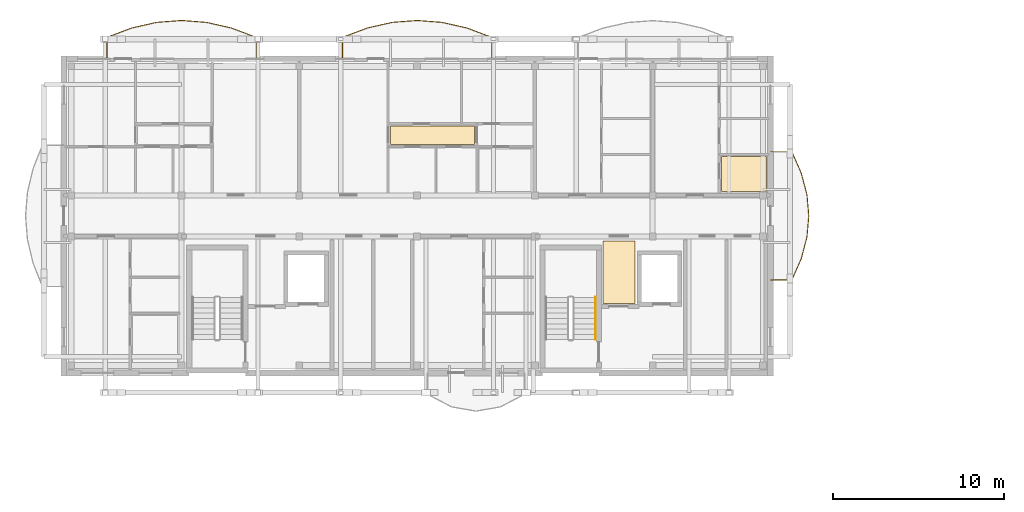
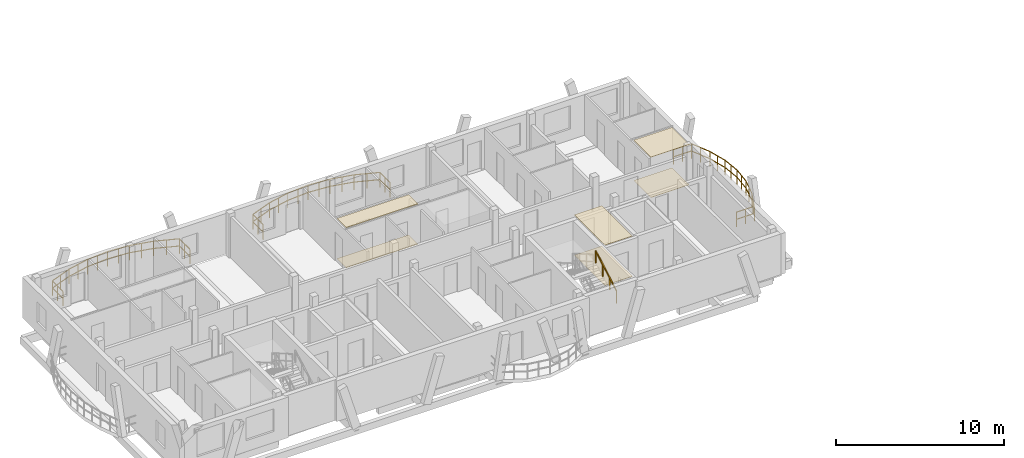
# One storey, part 27 of 29: 6 coverings, 4 railings.
"""IFC4 building model written with IfcOpenShell, lengths in metres."""

from ifc_helpers import new_model, si_unit, direction, frame, origin, origin_2d, place, context, subcontext, project, spatial, polyline, rectangle, outline, extrude, material, layer, layer_set, type_object, element, save


model = new_model("IFC4")

# Units and contexts
model_context = context("Model", 3, precision=1e-05, world=origin(), true_north=direction((0.0, 1.0)))
body_context = subcontext(model_context, "Body", "Model", "MODEL_VIEW")
ifc_project = project(units=[si_unit("LENGTHUNIT", "METRE"), si_unit("AREAUNIT", "SQUARE_METRE"), si_unit("VOLUMEUNIT", "CUBIC_METRE"), si_unit("PLANEANGLEUNIT", "RADIAN"), si_unit("MASSUNIT", "GRAM", prefix="KILO")], contexts=[model_context])

# Site, building, storey
site_placement = place(None, origin())
site = spatial("IfcSite", under=ifc_project, at=site_placement, CompositionType="ELEMENT")
building_placement = place(site_placement, origin())
building = spatial("IfcBuilding", under=site, at=building_placement, Name="Zavelmont Quarter", CompositionType="ELEMENT")
storey_placement = place(building_placement, frame((0.0, 0.0, 33.60009765625)))
storey = spatial("IfcBuildingStorey", under=building, at=storey_placement, Name="L10", CompositionType="ELEMENT", Elevation=33.60009765625)

# Coverings
ifc_material_1 = material(Name="Perforated acoustic gypsum board")
ifc_layer_1 = layer(ifc_material_1, 0.02490234375)
ifc_layer_set_1 = layer_set([ifc_layer_1], Name="Perforated acoustic gypsum board")
covering_type_1 = type_object("IfcCoveringType", Name="CV-CL01", PredefinedType="CEILING", material=ifc_layer_set_1)
covering_1_placement = place(storey_placement, frame((0.0, 0.0, 2.934814453125)))
element("IfcCovering", 1, at=covering_1_placement, inside=storey, type_object=covering_type_1, Name="L10 Lobby Vestibule acoustic ceiling", PredefinedType="CEILING", context=body_context, shape_type="SweptSolid", body=[
    extrude(outline(polyline([(31.580078125, 105.320068359375), (33.469970703125, 105.320068359375), (33.469970703125, 101.679931640625), (31.580078125, 101.679931640625), (31.580078125, 105.320068359375)])), origin(), (0.0, 0.0, 1.0), 0.025146484375),
])
covering_2_placement = place(storey_placement, frame((0.0, 0.0, 2.934814453125)))
element("IfcCovering", 2, at=covering_2_placement, inside=storey, type_object=covering_type_1, Name="L10 Kitchen acoustic ceiling", PredefinedType="CEILING", context=body_context, shape_type="SweptSolid", body=[
    extrude(outline(polyline([(38.530029296875, 110.27001953125), (41.169921875, 110.27001953125), (41.169921875, 108.239990234375), (40.719970703125, 108.239990234375), (40.719970703125, 108.22998046875), (38.530029296875, 108.22998046875), (38.530029296875, 110.27001953125)])), origin(), (0.0, 0.0, 1.0), 0.025146484375),
])
ifc_material_2 = material(Name="Slatted European ash acoustic baffle ceiling")
ifc_layer_2 = layer(ifc_material_2, 0.0400390625)
ifc_layer_set_2 = layer_set([ifc_layer_2], Name="Slatted European ash acoustic baffle ceiling")
covering_type_2 = type_object("IfcCoveringType", Name="CV-CL02", PredefinedType="CEILING", material=ifc_layer_set_2)
covering_3_placement = place(storey_placement, frame((0.0, 0.0, 2.919921875)))
element("IfcCovering", 3, at=covering_3_placement, inside=storey, type_object=covering_type_2, Name="L10 Apartment Hall acoustic ceiling", PredefinedType="CEILING", context=body_context, shape_type="SweptSolid", body=[
    extrude(outline(polyline([(19.1298828125, 112.070068359375), (24.070068359375, 112.070068359375), (24.070068359375, 110.97998046875), (19.1298828125, 110.97998046875), (19.1298828125, 112.070068359375)])), origin(), (0.0, 0.0, 1.0), 0.0400390625),
])
ifc_material_3 = material(Name="Engineered European oak parquet")
ifc_layer_3 = layer(ifc_material_3, 0.02197265625)
ifc_layer_set_3 = layer_set([ifc_layer_3], Name="Engineered European oak parquet")
covering_type_3 = type_object("IfcCoveringType", Name="CV-FL01", PredefinedType="FLOORING", material=ifc_layer_set_3)
covering_4_placement = place(storey_placement, origin())
element("IfcCovering", 4, at=covering_4_placement, inside=storey, type_object=covering_type_3, Name="L10 Lobby Vestibule floor finish", PredefinedType="FLOORING", context=body_context, shape_type="SweptSolid", body=[
    extrude(outline(polyline([(31.580078125, 105.320068359375), (33.469970703125, 105.320068359375), (33.469970703125, 101.679931640625), (31.580078125, 101.679931640625), (31.580078125, 105.320068359375)])), origin(), (0.0, 0.0, 1.0), 0.02197265625),
])
covering_5_placement = place(storey_placement, origin())
element("IfcCovering", 5, at=covering_5_placement, inside=storey, type_object=covering_type_3, Name="L10 Kitchen floor finish", PredefinedType="FLOORING", context=body_context, shape_type="SweptSolid", body=[
    extrude(outline(polyline([(38.530029296875, 110.27001953125), (41.169921875, 110.27001953125), (41.169921875, 108.239990234375), (40.719970703125, 108.239990234375), (40.719970703125, 108.22998046875), (38.530029296875, 108.22998046875), (38.530029296875, 110.27001953125)])), origin(), (0.0, 0.0, 1.0), 0.02197265625),
])
ifc_material_4 = material(Name="Honed Belgian bluestone tile", Category="masonry")
ifc_layer_4 = layer(ifc_material_4, 0.030029296875)
ifc_layer_set_4 = layer_set([ifc_layer_4], Name="Honed Belgian bluestone tile")
covering_type_4 = type_object("IfcCoveringType", Name="CV-FL02", PredefinedType="FLOORING", material=ifc_layer_set_4)
covering_6_placement = place(storey_placement, origin())
element("IfcCovering", 6, at=covering_6_placement, inside=storey, type_object=covering_type_4, Name="L10 Apartment Hall floor finish", PredefinedType="FLOORING", context=body_context, shape_type="SweptSolid", body=[
    extrude(outline(polyline([(19.1298828125, 112.070068359375), (24.070068359375, 112.070068359375), (24.070068359375, 110.97998046875), (19.1298828125, 110.97998046875), (19.1298828125, 112.070068359375)])), origin(), (0.0, 0.0, 1.0), 0.02978515625),
])

# Railings
ifc_material_5 = material(Name="Powder-coated steel and tempered double safety glass", Category="steel")
railing_type_1 = type_object("IfcRailingType", Name="RL-BAL1", PredefinedType="BALUSTRADE", material=ifc_material_5)
railing_1_placement = place(storey_placement, frame((11.2744140625, 116.02001953125, 0.0)))
element("IfcRailing", 7, at=railing_1_placement, inside=storey, type_object=railing_type_1, Name="L10 Block B curved balcony guard RL-BAL1", PredefinedType="BALUSTRADE", context=body_context, shape_type="SweptSolid", body=[
    extrude(rectangle(XDim=0.048095703125, YDim=0.048095703125, at=origin_2d()), frame((0.0, 0.0, 1.076171875), z_axis=(0.0, 1.0, 0.0), x_axis=(-1.0, 0.0, 0.0)), (0.0, 0.0, 1.0), 1.239990234375),
    extrude(rectangle(XDim=0.048095703125, YDim=0.048095703125, at=origin_2d()), frame((0.0, 0.0, 0.550048828125), z_axis=(0.0, 1.0, 0.0), x_axis=(-1.0, 0.0, 0.0)), (0.0, 0.0, 1.0), 1.239990234375),
    extrude(rectangle(XDim=0.048095703125, YDim=0.048095703125, at=origin_2d()), frame((0.0, 1.239990234375, 1.076171875), z_axis=(-0.935631985151, 0.352977036595, 0.0), x_axis=(-0.352977036595, -0.935631985151, 0.0)), (0.0, 0.0, 1.0), 1.558349609375),
    extrude(rectangle(XDim=0.048095703125, YDim=0.048095703125, at=origin_2d()), frame((0.0, 1.239990234375, 0.550048828125), z_axis=(-0.935631985151, 0.352977036595, 0.0), x_axis=(-0.352977036595, -0.935631985151, 0.0)), (0.0, 0.0, 1.0), 1.558349609375),
    extrude(rectangle(XDim=0.048095703125, YDim=0.048095703125, at=origin_2d()), frame((-1.4580078125, 1.7900390625, 1.076171875), z_axis=(-0.975361716591, 0.220611699165, 0.0), x_axis=(-0.220611699165, -0.975361716591, 0.0)), (0.0, 0.0, 1.0), 1.4951171875),
    extrude(rectangle(XDim=0.048095703125, YDim=0.048095703125, at=origin_2d()), frame((-1.4580078125, 1.7900390625, 0.550048828125), z_axis=(-0.975361716591, 0.220611699165, 0.0), x_axis=(-0.220611699165, -0.975361716591, 0.0)), (0.0, 0.0, 1.0), 1.4951171875),
    extrude(rectangle(XDim=0.048095703125, YDim=0.048095703125, at=origin_2d()), frame((-2.916259765625, 2.119873046875, 1.076171875), z_axis=(-0.997161519689, 0.075292122113, 0.0), x_axis=(-0.075292122113, -0.997161519689, 0.0)), (0.0, 0.0, 1.0), 1.46240234375),
    extrude(rectangle(XDim=0.048095703125, YDim=0.048095703125, at=origin_2d()), frame((-2.916259765625, 2.119873046875, 0.550048828125), z_axis=(-0.997161519689, 0.075292122113, 0.0), x_axis=(-0.075292122113, -0.997161519689, 0.0)), (0.0, 0.0, 1.0), 1.46240234375),
    extrude(rectangle(XDim=0.048095703125, YDim=0.048095703125, at=origin_2d()), frame((-4.37451171875, 2.22998046875, 1.076171875), z_axis=(-0.997160573058, -0.075304658146, 0.0), x_axis=(0.075304658146, -0.997160573058, 0.0)), (0.0, 0.0, 1.0), 1.462158203125),
    extrude(rectangle(XDim=0.048095703125, YDim=0.048095703125, at=origin_2d()), frame((-4.37451171875, 2.22998046875, 0.550048828125), z_axis=(-0.997160573058, -0.075304658146, 0.0), x_axis=(0.075304658146, -0.997160573058, 0.0)), (0.0, 0.0, 1.0), 1.462158203125),
    extrude(rectangle(XDim=0.048095703125, YDim=0.048095703125, at=origin_2d()), frame((-5.83251953125, 2.119873046875, 1.076171875), z_axis=(-0.975361716591, -0.220611699165, 0.0), x_axis=(0.220611699165, -0.975361716591, 0.0)), (0.0, 0.0, 1.0), 1.4951171875),
    extrude(rectangle(XDim=0.048095703125, YDim=0.048095703125, at=origin_2d()), frame((-5.83251953125, 2.119873046875, 0.550048828125), z_axis=(-0.975361716591, -0.220611699165, 0.0), x_axis=(0.220611699165, -0.975361716591, 0.0)), (0.0, 0.0, 1.0), 1.4951171875),
    extrude(rectangle(XDim=0.048095703125, YDim=0.048095703125, at=origin_2d()), frame((-7.290771484375, 1.7900390625, 1.076171875), z_axis=(-0.935651500785, -0.352925302406, 0.0), x_axis=(0.352925302406, -0.935651500785, 0.0)), (0.0, 0.0, 1.0), 1.55859375),
    extrude(rectangle(XDim=0.048095703125, YDim=0.048095703125, at=origin_2d()), frame((-7.290771484375, 1.7900390625, 0.550048828125), z_axis=(-0.935651500785, -0.352925302406, 0.0), x_axis=(0.352925302406, -0.935651500785, 0.0)), (0.0, 0.0, 1.0), 1.55859375),
    extrude(rectangle(XDim=0.048095703125, YDim=0.048095703125, at=origin_2d()), frame((-8.7490234375, 1.239990234375, 1.076171875), z_axis=(0.0, -1.0, 0.0), x_axis=(1.0, 0.0, 0.0)), (0.0, 0.0, 1.0), 1.239990234375),
    extrude(rectangle(XDim=0.048095703125, YDim=0.048095703125, at=origin_2d()), frame((-8.7490234375, 1.239990234375, 0.550048828125), z_axis=(0.0, -1.0, 0.0), x_axis=(1.0, 0.0, 0.0)), (0.0, 0.0, 1.0), 1.239990234375),
    extrude(rectangle(XDim=0.0419921875, YDim=0.0419921875, at=origin_2d()), origin(), (0.0, 0.0, 1.0), 1.052001953125),
    extrude(rectangle(XDim=0.0419921875, YDim=0.0419921875, at=origin_2d()), frame((0.0, 0.6201171875, 0.0)), (0.0, 0.0, 1.0), 1.052001953125),
    extrude(rectangle(XDim=0.0419921875, YDim=0.0419921875, at=origin_2d()), frame((0.0, 1.239990234375, 0.0)), (0.0, 0.0, 1.0), 1.052001953125),
    extrude(rectangle(XDim=0.0419921875, YDim=0.0419921875, at=origin_2d()), frame((-0.72900390625, 1.51513671875, 0.0)), (0.0, 0.0, 1.0), 1.052001953125),
    extrude(rectangle(XDim=0.0419921875, YDim=0.0419921875, at=origin_2d()), frame((-1.4580078125, 1.7900390625, 0.0)), (0.0, 0.0, 1.0), 1.052001953125),
    extrude(rectangle(XDim=0.0419921875, YDim=0.0419921875, at=origin_2d()), frame((-2.18701171875, 1.955078125, 0.0)), (0.0, 0.0, 1.0), 1.052001953125),
    extrude(rectangle(XDim=0.0419921875, YDim=0.0419921875, at=origin_2d()), frame((-2.916259765625, 2.119873046875, 0.0)), (0.0, 0.0, 1.0), 1.052001953125),
    extrude(rectangle(XDim=0.0419921875, YDim=0.0419921875, at=origin_2d()), frame((-3.6455078125, 2.1748046875, 0.0)), (0.0, 0.0, 1.0), 1.052001953125),
    extrude(rectangle(XDim=0.0419921875, YDim=0.0419921875, at=origin_2d()), frame((-4.37451171875, 2.22998046875, 0.0)), (0.0, 0.0, 1.0), 1.052001953125),
    extrude(rectangle(XDim=0.0419921875, YDim=0.0419921875, at=origin_2d()), frame((-5.103515625, 2.1748046875, 0.0)), (0.0, 0.0, 1.0), 1.052001953125),
    extrude(rectangle(XDim=0.0419921875, YDim=0.0419921875, at=origin_2d()), frame((-5.83251953125, 2.119873046875, 0.0)), (0.0, 0.0, 1.0), 1.052001953125),
    extrude(rectangle(XDim=0.0419921875, YDim=0.0419921875, at=origin_2d()), frame((-6.5615234375, 1.955078125, 0.0)), (0.0, 0.0, 1.0), 1.052001953125),
    extrude(rectangle(XDim=0.0419921875, YDim=0.0419921875, at=origin_2d()), frame((-7.290771484375, 1.7900390625, 0.0)), (0.0, 0.0, 1.0), 1.052001953125),
    extrude(rectangle(XDim=0.0419921875, YDim=0.0419921875, at=origin_2d()), frame((-8.02001953125, 1.51513671875, 0.0)), (0.0, 0.0, 1.0), 1.052001953125),
    extrude(rectangle(XDim=0.0419921875, YDim=0.0419921875, at=origin_2d()), frame((-8.7490234375, 1.239990234375, 0.0)), (0.0, 0.0, 1.0), 1.052001953125),
    extrude(rectangle(XDim=0.0419921875, YDim=0.0419921875, at=origin_2d()), frame((-8.7490234375, 0.6201171875, 0.0)), (0.0, 0.0, 1.0), 1.052001953125),
    extrude(rectangle(XDim=0.0419921875, YDim=0.0419921875, at=origin_2d()), frame((-8.7490234375, 0.0, 0.0)), (0.0, 0.0, 1.0), 1.052001953125),
])
railing_2_placement = place(storey_placement, frame((25.074462890625, 116.02001953125, 0.0)))
element("IfcRailing", 8, at=railing_2_placement, inside=storey, type_object=railing_type_1, Name="L10 Block B curved balcony guard RL-BAL1", PredefinedType="BALUSTRADE", context=body_context, shape_type="SweptSolid", body=[
    extrude(rectangle(XDim=0.048095703125, YDim=0.048095703125, at=origin_2d()), frame((0.0, 0.0, 1.076171875), z_axis=(0.0, 1.0, 0.0), x_axis=(-1.0, 0.0, 0.0)), (0.0, 0.0, 1.0), 1.239990234375),
    extrude(rectangle(XDim=0.048095703125, YDim=0.048095703125, at=origin_2d()), frame((0.0, 0.0, 0.550048828125), z_axis=(0.0, 1.0, 0.0), x_axis=(-1.0, 0.0, 0.0)), (0.0, 0.0, 1.0), 1.239990234375),
    extrude(rectangle(XDim=0.048095703125, YDim=0.048095703125, at=origin_2d()), frame((0.0, 1.239990234375, 1.076171875), z_axis=(-0.935651500785, 0.352925302406, 0.0), x_axis=(-0.352925302406, -0.935651500785, 0.0)), (0.0, 0.0, 1.0), 1.55859375),
    extrude(rectangle(XDim=0.048095703125, YDim=0.048095703125, at=origin_2d()), frame((0.0, 1.239990234375, 0.550048828125), z_axis=(-0.935651500785, 0.352925302406, 0.0), x_axis=(-0.352925302406, -0.935651500785, 0.0)), (0.0, 0.0, 1.0), 1.55859375),
    extrude(rectangle(XDim=0.048095703125, YDim=0.048095703125, at=origin_2d()), frame((-1.458251953125, 1.7900390625, 1.076171875), z_axis=(-0.975353767197, 0.220646841842, 0.0), x_axis=(-0.220646841842, -0.975353767197, 0.0)), (0.0, 0.0, 1.0), 1.494873046875),
    extrude(rectangle(XDim=0.048095703125, YDim=0.048095703125, at=origin_2d()), frame((-1.458251953125, 1.7900390625, 0.550048828125), z_axis=(-0.975353767197, 0.220646841842, 0.0), x_axis=(-0.220646841842, -0.975353767197, 0.0)), (0.0, 0.0, 1.0), 1.494873046875),
    extrude(rectangle(XDim=0.048095703125, YDim=0.048095703125, at=origin_2d()), frame((-2.916259765625, 2.119873046875, 1.076171875), z_axis=(-0.997161519689, 0.075292122113, 0.0), x_axis=(-0.075292122113, -0.997161519689, 0.0)), (0.0, 0.0, 1.0), 1.46240234375),
    extrude(rectangle(XDim=0.048095703125, YDim=0.048095703125, at=origin_2d()), frame((-2.916259765625, 2.119873046875, 0.550048828125), z_axis=(-0.997161519689, 0.075292122113, 0.0), x_axis=(-0.075292122113, -0.997161519689, 0.0)), (0.0, 0.0, 1.0), 1.46240234375),
    extrude(rectangle(XDim=0.048095703125, YDim=0.048095703125, at=origin_2d()), frame((-4.37451171875, 2.22998046875, 1.076171875), z_axis=(-0.997161519689, -0.075292122113, 0.0), x_axis=(0.075292122113, -0.997161519689, 0.0)), (0.0, 0.0, 1.0), 1.46240234375),
    extrude(rectangle(XDim=0.048095703125, YDim=0.048095703125, at=origin_2d()), frame((-4.37451171875, 2.22998046875, 0.550048828125), z_axis=(-0.997161519689, -0.075292122113, 0.0), x_axis=(0.075292122113, -0.997161519689, 0.0)), (0.0, 0.0, 1.0), 1.46240234375),
    extrude(rectangle(XDim=0.048095703125, YDim=0.048095703125, at=origin_2d()), frame((-5.832763671875, 2.119873046875, 1.076171875), z_axis=(-0.975353767197, -0.220646841842, 0.0), x_axis=(0.220646841842, -0.975353767197, 0.0)), (0.0, 0.0, 1.0), 1.494873046875),
    extrude(rectangle(XDim=0.048095703125, YDim=0.048095703125, at=origin_2d()), frame((-5.832763671875, 2.119873046875, 0.550048828125), z_axis=(-0.975353767197, -0.220646841842, 0.0), x_axis=(0.220646841842, -0.975353767197, 0.0)), (0.0, 0.0, 1.0), 1.494873046875),
    extrude(rectangle(XDim=0.048095703125, YDim=0.048095703125, at=origin_2d()), frame((-7.290771484375, 1.7900390625, 1.076171875), z_axis=(-0.935651500785, -0.352925302406, 0.0), x_axis=(0.352925302406, -0.935651500785, 0.0)), (0.0, 0.0, 1.0), 1.55859375),
    extrude(rectangle(XDim=0.048095703125, YDim=0.048095703125, at=origin_2d()), frame((-7.290771484375, 1.7900390625, 0.550048828125), z_axis=(-0.935651500785, -0.352925302406, 0.0), x_axis=(0.352925302406, -0.935651500785, 0.0)), (0.0, 0.0, 1.0), 1.55859375),
    extrude(rectangle(XDim=0.048095703125, YDim=0.048095703125, at=origin_2d()), frame((-8.7490234375, 1.239990234375, 1.076171875), z_axis=(0.0, -1.0, 0.0), x_axis=(1.0, 0.0, 0.0)), (0.0, 0.0, 1.0), 1.239990234375),
    extrude(rectangle(XDim=0.048095703125, YDim=0.048095703125, at=origin_2d()), frame((-8.7490234375, 1.239990234375, 0.550048828125), z_axis=(0.0, -1.0, 0.0), x_axis=(1.0, 0.0, 0.0)), (0.0, 0.0, 1.0), 1.239990234375),
    extrude(rectangle(XDim=0.0419921875, YDim=0.0419921875, at=origin_2d()), origin(), (0.0, 0.0, 1.0), 1.052001953125),
    extrude(rectangle(XDim=0.0419921875, YDim=0.0419921875, at=origin_2d()), frame((0.0, 0.6201171875, 0.0)), (0.0, 0.0, 1.0), 1.052001953125),
    extrude(rectangle(XDim=0.0419921875, YDim=0.0419921875, at=origin_2d()), frame((0.0, 1.239990234375, 0.0)), (0.0, 0.0, 1.0), 1.052001953125),
    extrude(rectangle(XDim=0.0419921875, YDim=0.0419921875, at=origin_2d()), frame((-0.72900390625, 1.51513671875, 0.0)), (0.0, 0.0, 1.0), 1.052001953125),
    extrude(rectangle(XDim=0.0419921875, YDim=0.0419921875, at=origin_2d()), frame((-1.458251953125, 1.7900390625, 0.0)), (0.0, 0.0, 1.0), 1.052001953125),
    extrude(rectangle(XDim=0.0419921875, YDim=0.0419921875, at=origin_2d()), frame((-2.187255859375, 1.955078125, 0.0)), (0.0, 0.0, 1.0), 1.052001953125),
    extrude(rectangle(XDim=0.0419921875, YDim=0.0419921875, at=origin_2d()), frame((-2.916259765625, 2.119873046875, 0.0)), (0.0, 0.0, 1.0), 1.052001953125),
    extrude(rectangle(XDim=0.0419921875, YDim=0.0419921875, at=origin_2d()), frame((-3.6455078125, 2.1748046875, 0.0)), (0.0, 0.0, 1.0), 1.052001953125),
    extrude(rectangle(XDim=0.0419921875, YDim=0.0419921875, at=origin_2d()), frame((-4.37451171875, 2.22998046875, 0.0)), (0.0, 0.0, 1.0), 1.052001953125),
    extrude(rectangle(XDim=0.0419921875, YDim=0.0419921875, at=origin_2d()), frame((-5.103515625, 2.1748046875, 0.0)), (0.0, 0.0, 1.0), 1.052001953125),
    extrude(rectangle(XDim=0.0419921875, YDim=0.0419921875, at=origin_2d()), frame((-5.832763671875, 2.119873046875, 0.0)), (0.0, 0.0, 1.0), 1.052001953125),
    extrude(rectangle(XDim=0.0419921875, YDim=0.0419921875, at=origin_2d()), frame((-6.561767578125, 1.955078125, 0.0)), (0.0, 0.0, 1.0), 1.052001953125),
    extrude(rectangle(XDim=0.0419921875, YDim=0.0419921875, at=origin_2d()), frame((-7.290771484375, 1.7900390625, 0.0)), (0.0, 0.0, 1.0), 1.052001953125),
    extrude(rectangle(XDim=0.0419921875, YDim=0.0419921875, at=origin_2d()), frame((-8.02001953125, 1.51513671875, 0.0)), (0.0, 0.0, 1.0), 1.052001953125),
    extrude(rectangle(XDim=0.0419921875, YDim=0.0419921875, at=origin_2d()), frame((-8.7490234375, 1.239990234375, 0.0)), (0.0, 0.0, 1.0), 1.052001953125),
    extrude(rectangle(XDim=0.0419921875, YDim=0.0419921875, at=origin_2d()), frame((-8.7490234375, 0.6201171875, 0.0)), (0.0, 0.0, 1.0), 1.052001953125),
    extrude(rectangle(XDim=0.0419921875, YDim=0.0419921875, at=origin_2d()), frame((-8.7490234375, 0.0, 0.0)), (0.0, 0.0, 1.0), 1.052001953125),
])
railing_3_placement = place(storey_placement, frame((41.419921875, 103.04736328125, 0.0)))
element("IfcRailing", 9, at=railing_3_placement, inside=storey, type_object=railing_type_1, Name="L10 Block B curved balcony guard RL-BAL1", PredefinedType="BALUSTRADE", context=body_context, shape_type="SweptSolid", body=[
    extrude(rectangle(XDim=0.048095703125, YDim=0.048095703125, at=origin_2d()), frame((0.0, 0.0, 1.076171875), z_axis=(1.0, 0.0, 0.0), x_axis=(0.0, 1.0, 0.0)), (0.0, 0.0, 1.0), 1.239990234375),
    extrude(rectangle(XDim=0.048095703125, YDim=0.048095703125, at=origin_2d()), frame((0.0, 0.0, 0.550048828125), z_axis=(1.0, 0.0, 0.0), x_axis=(0.0, 1.0, 0.0)), (0.0, 0.0, 1.0), 1.239990234375),
    extrude(rectangle(XDim=0.048095703125, YDim=0.048095703125, at=origin_2d()), frame((1.239990234375, 0.0, 1.076171875), z_axis=(0.402570943269, 0.915388789333, 0.0), x_axis=(-0.915388789333, 0.402570943269, 0.0)), (0.0, 0.0, 1.0), 1.366455078125),
    extrude(rectangle(XDim=0.048095703125, YDim=0.048095703125, at=origin_2d()), frame((1.239990234375, 0.0, 0.550048828125), z_axis=(0.402570943269, 0.915388789333, 0.0), x_axis=(-0.915388789333, 0.402570943269, 0.0)), (0.0, 0.0, 1.0), 1.366455078125),
    extrude(rectangle(XDim=0.048095703125, YDim=0.048095703125, at=origin_2d()), frame((1.7900390625, 1.250732421875, 1.076171875), z_axis=(0.255124858341, 0.966908116967, 0.0), x_axis=(-0.966908116967, 0.255124858341, 0.0)), (0.0, 0.0, 1.0), 1.293701171875),
    extrude(rectangle(XDim=0.048095703125, YDim=0.048095703125, at=origin_2d()), frame((1.7900390625, 1.250732421875, 0.550048828125), z_axis=(0.255124858341, 0.966908116967, 0.0), x_axis=(-0.966908116967, 0.255124858341, 0.0)), (0.0, 0.0, 1.0), 1.293701171875),
    extrude(rectangle(XDim=0.048095703125, YDim=0.048095703125, at=origin_2d()), frame((2.1201171875, 2.501708984375, 1.076171875), z_axis=(0.087485287913, 0.996165811699, 0.0), x_axis=(-0.996165811699, 0.087485287913, 0.0)), (0.0, 0.0, 1.0), 1.255859375),
    extrude(rectangle(XDim=0.048095703125, YDim=0.048095703125, at=origin_2d()), frame((2.1201171875, 2.501708984375, 0.550048828125), z_axis=(0.087485287913, 0.996165811699, 0.0), x_axis=(-0.996165811699, 0.087485287913, 0.0)), (0.0, 0.0, 1.0), 1.255859375),
    extrude(rectangle(XDim=0.048095703125, YDim=0.048095703125, at=origin_2d()), frame((2.22998046875, 3.752685546875, 1.076171875), z_axis=(-0.087502234137, 0.996164323303, 0.0), x_axis=(-0.996164323303, -0.087502234137, 0.0)), (0.0, 0.0, 1.0), 1.255615234375),
    extrude(rectangle(XDim=0.048095703125, YDim=0.048095703125, at=origin_2d()), frame((2.22998046875, 3.752685546875, 0.550048828125), z_axis=(-0.087502234137, 0.996164323303, 0.0), x_axis=(-0.996164323303, -0.087502234137, 0.0)), (0.0, 0.0, 1.0), 1.255615234375),
    extrude(rectangle(XDim=0.048095703125, YDim=0.048095703125, at=origin_2d()), frame((2.1201171875, 5.00341796875, 1.076171875), z_axis=(-0.255124858341, 0.966908116967, 0.0), x_axis=(-0.966908116967, -0.255124858341, 0.0)), (0.0, 0.0, 1.0), 1.293701171875),
    extrude(rectangle(XDim=0.048095703125, YDim=0.048095703125, at=origin_2d()), frame((2.1201171875, 5.00341796875, 0.550048828125), z_axis=(-0.255124858341, 0.966908116967, 0.0), x_axis=(-0.966908116967, -0.255124858341, 0.0)), (0.0, 0.0, 1.0), 1.293701171875),
    extrude(rectangle(XDim=0.048095703125, YDim=0.048095703125, at=origin_2d()), frame((1.7900390625, 6.25439453125, 1.076171875), z_axis=(-0.402505107019, 0.915417740064, 0.0), x_axis=(-0.915417740064, -0.402505107019, 0.0)), (0.0, 0.0, 1.0), 1.366455078125),
    extrude(rectangle(XDim=0.048095703125, YDim=0.048095703125, at=origin_2d()), frame((1.7900390625, 6.25439453125, 0.550048828125), z_axis=(-0.402505107019, 0.915417740064, 0.0), x_axis=(-0.915417740064, -0.402505107019, 0.0)), (0.0, 0.0, 1.0), 1.366455078125),
    extrude(rectangle(XDim=0.048095703125, YDim=0.048095703125, at=origin_2d()), frame((1.239990234375, 7.50537109375, 1.076171875), z_axis=(-1.0, 0.0, 0.0), x_axis=(0.0, -1.0, 0.0)), (0.0, 0.0, 1.0), 1.239990234375),
    extrude(rectangle(XDim=0.048095703125, YDim=0.048095703125, at=origin_2d()), frame((1.239990234375, 7.50537109375, 0.550048828125), z_axis=(-1.0, 0.0, 0.0), x_axis=(0.0, -1.0, 0.0)), (0.0, 0.0, 1.0), 1.239990234375),
    extrude(rectangle(XDim=0.0419921875, YDim=0.0419921875, at=origin_2d()), origin(), (0.0, 0.0, 1.0), 1.052001953125),
    extrude(rectangle(XDim=0.0419921875, YDim=0.0419921875, at=origin_2d()), frame((0.6201171875, 0.0, 0.0)), (0.0, 0.0, 1.0), 1.052001953125),
    extrude(rectangle(XDim=0.0419921875, YDim=0.0419921875, at=origin_2d()), frame((1.239990234375, 0.0, 0.0)), (0.0, 0.0, 1.0), 1.052001953125),
    extrude(rectangle(XDim=0.0419921875, YDim=0.0419921875, at=origin_2d()), frame((1.51513671875, 0.62548828125, 0.0)), (0.0, 0.0, 1.0), 1.052001953125),
    extrude(rectangle(XDim=0.0419921875, YDim=0.0419921875, at=origin_2d()), frame((1.7900390625, 1.250732421875, 0.0)), (0.0, 0.0, 1.0), 1.052001953125),
    extrude(rectangle(XDim=0.0419921875, YDim=0.0419921875, at=origin_2d()), frame((1.955078125, 1.876220703125, 0.0)), (0.0, 0.0, 1.0), 1.052001953125),
    extrude(rectangle(XDim=0.0419921875, YDim=0.0419921875, at=origin_2d()), frame((2.1201171875, 2.501708984375, 0.0)), (0.0, 0.0, 1.0), 1.052001953125),
    extrude(rectangle(XDim=0.0419921875, YDim=0.0419921875, at=origin_2d()), frame((2.175048828125, 3.127197265625, 0.0)), (0.0, 0.0, 1.0), 1.052001953125),
    extrude(rectangle(XDim=0.0419921875, YDim=0.0419921875, at=origin_2d()), frame((2.22998046875, 3.752685546875, 0.0)), (0.0, 0.0, 1.0), 1.052001953125),
    extrude(rectangle(XDim=0.0419921875, YDim=0.0419921875, at=origin_2d()), frame((2.175048828125, 4.3779296875, 0.0)), (0.0, 0.0, 1.0), 1.052001953125),
    extrude(rectangle(XDim=0.0419921875, YDim=0.0419921875, at=origin_2d()), frame((2.1201171875, 5.00341796875, 0.0)), (0.0, 0.0, 1.0), 1.052001953125),
    extrude(rectangle(XDim=0.0419921875, YDim=0.0419921875, at=origin_2d()), frame((1.955078125, 5.62890625, 0.0)), (0.0, 0.0, 1.0), 1.052001953125),
    extrude(rectangle(XDim=0.0419921875, YDim=0.0419921875, at=origin_2d()), frame((1.7900390625, 6.25439453125, 0.0)), (0.0, 0.0, 1.0), 1.052001953125),
    extrude(rectangle(XDim=0.0419921875, YDim=0.0419921875, at=origin_2d()), frame((1.51513671875, 6.8798828125, 0.0)), (0.0, 0.0, 1.0), 1.052001953125),
    extrude(rectangle(XDim=0.0419921875, YDim=0.0419921875, at=origin_2d()), frame((1.239990234375, 7.50537109375, 0.0)), (0.0, 0.0, 1.0), 1.052001953125),
    extrude(rectangle(XDim=0.0419921875, YDim=0.0419921875, at=origin_2d()), frame((0.6201171875, 7.50537109375, 0.0)), (0.0, 0.0, 1.0), 1.052001953125),
    extrude(rectangle(XDim=0.0419921875, YDim=0.0419921875, at=origin_2d()), frame((0.0, 7.50537109375, 0.0)), (0.0, 0.0, 1.0), 1.052001953125),
])
ifc_material_6 = material(Name="Brushed stainless-steel wall handrail", Category="steel")
railing_type_2 = type_object("IfcRailingType", Name="RL-HND1", PredefinedType="HANDRAIL", material=ifc_material_6)
railing_4_placement = place(storey_placement, frame((31.14990234375, 99.550048828125, 0.177734375)))
element("IfcRailing", 10, at=railing_4_placement, inside=storey, type_object=railing_type_2, Name="L10 ST04 stair handrail 1", PredefinedType="HANDRAIL", context=body_context, shape_type="SweptSolid", body=[
    extrude(rectangle(XDim=0.048095703125, YDim=0.048095703125, at=origin_2d()), frame((0.0, 0.0, 0.8759765625), z_axis=(0.0, 0.867490628297, 0.497453525283), x_axis=(-1.0, 0.0, 0.0)), (0.0, 0.0, 1.0), 2.85888671875),
    extrude(rectangle(XDim=0.0419921875, YDim=0.0419921875, at=origin_2d()), origin(), (0.0, 0.0, 1.0), 0.851806640625),
    extrude(rectangle(XDim=0.0419921875, YDim=0.0419921875, at=origin_2d()), frame((0.0, 0.82666015625, 0.47412109375)), (0.0, 0.0, 1.0), 0.851806640625),
    extrude(rectangle(XDim=0.0419921875, YDim=0.0419921875, at=origin_2d()), frame((0.0, 1.6533203125, 0.947998046875)), (0.0, 0.0, 1.0), 0.851806640625),
    extrude(rectangle(XDim=0.0419921875, YDim=0.0419921875, at=origin_2d()), frame((0.0, 2.47998046875, 1.422119140625)), (0.0, 0.0, 1.0), 0.851806640625),
])

save(model, "model.ifc")
